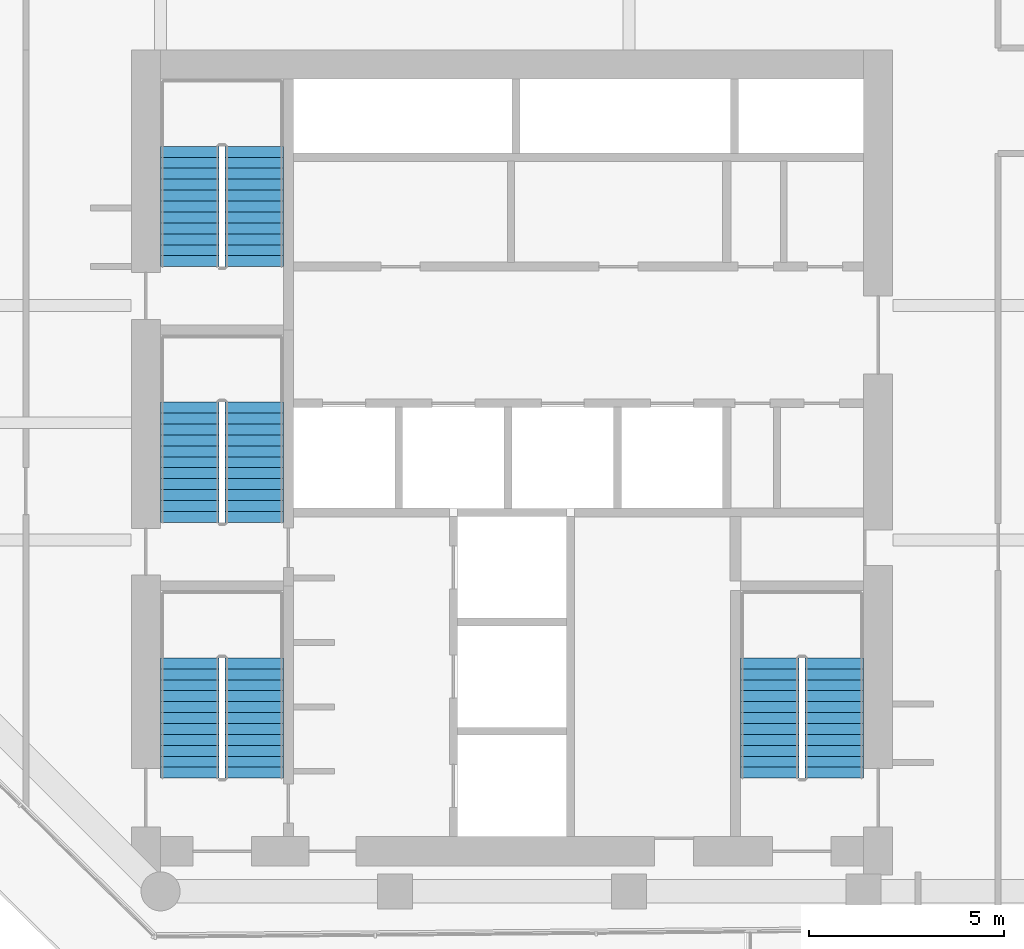
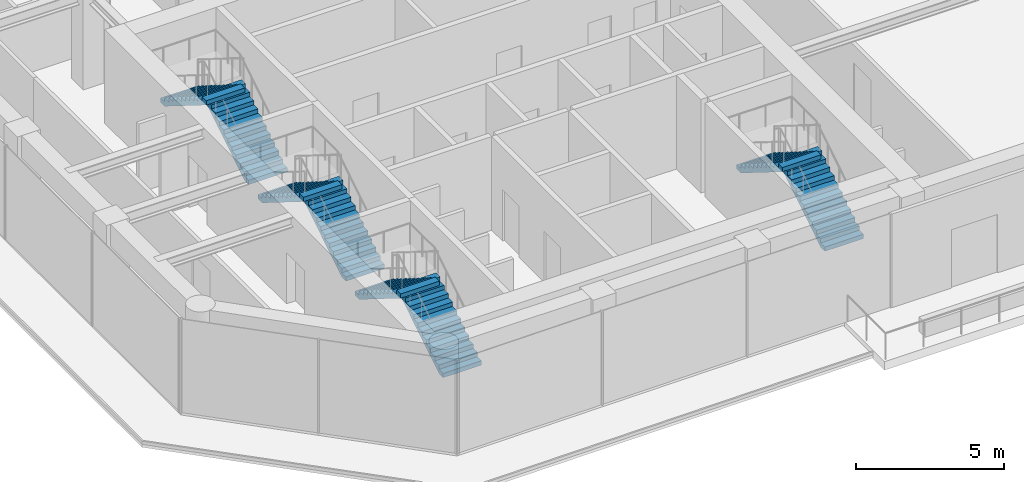
# One storey, part 19 of 21: 8 stair flights, 4 elements without a shape of their own.
"""IFC4 building model written with IfcOpenShell, lengths in metres."""

from ifc_helpers import new_model, si_unit, direction, frame, origin, place, context, subcontext, project, spatial, polyline, outline, extrude, material, type_object, element, aggregate, save


model = new_model("IFC4")

# Units and contexts
model_context = context("Model", 3, precision=1e-05, world=origin(), true_north=direction((0.0, 1.0)))
body_context = subcontext(model_context, "Body", "Model", "MODEL_VIEW")
ifc_project = project(units=[si_unit("LENGTHUNIT", "METRE"), si_unit("AREAUNIT", "SQUARE_METRE"), si_unit("VOLUMEUNIT", "CUBIC_METRE"), si_unit("PLANEANGLEUNIT", "RADIAN"), si_unit("MASSUNIT", "GRAM", prefix="KILO")], contexts=[model_context])

# Site, building, storey
site_placement = place(None, origin())
site = spatial("IfcSite", under=ifc_project, at=site_placement, CompositionType="ELEMENT")
building_placement = place(site_placement, origin())
building = spatial("IfcBuilding", under=site, at=building_placement, Name="Welwitschia Terrace Campus", CompositionType="ELEMENT")
storey_placement = place(building_placement, frame((0.0, 0.0, 108.800048828125)))
storey = spatial("IfcBuildingStorey", under=building, at=storey_placement, Name="L24", CompositionType="ELEMENT", Elevation=108.800048828125)

# Stair, stair flights
ifc_material_1 = material(Name="Concrete C40/50", Category="concrete")
stair_type = type_object("IfcStairType", Name="Stair 24R 175 W1500", PredefinedType="HALF_TURN_STAIR", material=ifc_material_1)
stair_1_placement = place(storey_placement, origin())
stair_1 = element("IfcStair", 1, at=stair_1_placement, inside=storey, type_object=stair_type, Name="L24 Exit stair S1", PredefinedType="HALF_TURN_STAIR")
ifc_material_2 = material(Name="Concrete C40/50", Category="concrete")
stair_flight_type = type_object("IfcStairFlightType", Name="Stair flight 24R 175 W1500", PredefinedType="STRAIGHT", material=ifc_material_2)
stair_flight_1_placement = place(storey_placement, frame((8.39990234375, 6.89990234375, 0.0), z_axis=(0.0, 0.0, 1.0), x_axis=(0.0, 1.0, 0.0)))
stair_flight_1 = element("IfcStairFlight", 2, at=stair_flight_1_placement, type_object=stair_flight_type, Name="S1 flight 1", NumberOfRisers=12, NumberOfTreads=11, PredefinedType="STRAIGHT", RiserHeight=0.175, TreadLength=0.28, context=body_context, shape_type="SweptSolid", body=[
    extrude(outline(polyline([(0.0, 0.0), (0.0, 0.175048828125), (0.280029296875, 0.175048828125), (0.280029296875, 0.35009765625), (0.56005859375, 0.35009765625), (0.56005859375, 0.52490234375), (0.840087890625, 0.52490234375), (0.840087890625, 0.699951171875), (1.1201171875, 0.699951171875), (1.1201171875, 0.875), (1.39990234375, 0.875), (1.39990234375, 1.050048828125), (1.679931640625, 1.050048828125), (1.679931640625, 1.22509765625), (1.9599609375, 1.22509765625), (1.9599609375, 1.39990234375), (2.239990234375, 1.39990234375), (2.239990234375, 1.574951171875), (2.52001953125, 1.574951171875), (2.52001953125, 1.75), (2.800048828125, 1.75), (2.800048828125, 1.925048828125), (3.080078125, 1.925048828125), (3.080078125, 2.10009765625), (3.080078125, 1.748291015625), (0.28271484375, 0.0), (0.0, 0.0)])), frame((0.0, 0.75, 0.0), z_axis=(0.0, -1.0, 0.0), x_axis=(1.0, 0.0, 0.0)), (0.0, 0.0, 1.0), 1.5),
])
stair_flight_2_placement = place(storey_placement, frame((6.75, 9.97998046875, 2.099853515625), z_axis=(0.0, 0.0, 1.0), x_axis=(0.0, -1.0, 0.0)))
stair_flight_2 = element("IfcStairFlight", 3, at=stair_flight_2_placement, type_object=stair_flight_type, Name="S1 flight 2", NumberOfRisers=12, NumberOfTreads=11, PredefinedType="STRAIGHT", RiserHeight=0.175, TreadLength=0.28, context=body_context, shape_type="SweptSolid", body=[
    extrude(outline(polyline([(0.0, 0.0), (0.0, 0.175048828125), (0.280029296875, 0.175048828125), (0.280029296875, 0.35009765625), (0.56005859375, 0.35009765625), (0.56005859375, 0.52490234375), (0.840087890625, 0.52490234375), (0.840087890625, 0.699951171875), (1.1201171875, 0.699951171875), (1.1201171875, 0.875), (1.39990234375, 0.875), (1.39990234375, 1.050048828125), (1.679931640625, 1.050048828125), (1.679931640625, 1.22509765625), (1.9599609375, 1.22509765625), (1.9599609375, 1.39990234375), (2.239990234375, 1.39990234375), (2.239990234375, 1.574951171875), (2.52001953125, 1.574951171875), (2.52001953125, 1.75), (2.800048828125, 1.75), (2.800048828125, 1.925048828125), (3.080078125, 1.925048828125), (3.080078125, 2.10009765625), (3.080078125, 1.748291015625), (0.28271484375, 0.0), (0.0, 0.0)])), frame((0.0, 0.75, 0.0), z_axis=(0.0, -1.0, 0.0), x_axis=(1.0, 0.0, 0.0)), (0.0, 0.0, 1.0), 1.5),
])
aggregate(stair_1, [stair_flight_1, stair_flight_2])

stair_2_placement = place(storey_placement, origin())
stair_2 = element("IfcStair", 4, at=stair_2_placement, inside=storey, type_object=stair_type, Name="L24 Exit stair S3", PredefinedType="HALF_TURN_STAIR")
stair_flight_3_placement = place(storey_placement, frame((8.39990234375, 13.449951171875, 0.0), z_axis=(0.0, 0.0, 1.0), x_axis=(0.0, 1.0, 0.0)))
stair_flight_3 = element("IfcStairFlight", 5, at=stair_flight_3_placement, type_object=stair_flight_type, Name="S3 flight 1", NumberOfRisers=12, NumberOfTreads=11, PredefinedType="STRAIGHT", RiserHeight=0.175, TreadLength=0.28, context=body_context, shape_type="SweptSolid", body=[
    extrude(outline(polyline([(0.0, 0.0), (0.0, 0.175048828125), (0.280029296875, 0.175048828125), (0.280029296875, 0.35009765625), (0.56005859375, 0.35009765625), (0.56005859375, 0.52490234375), (0.840087890625, 0.52490234375), (0.840087890625, 0.699951171875), (1.1201171875, 0.699951171875), (1.1201171875, 0.875), (1.39990234375, 0.875), (1.39990234375, 1.050048828125), (1.679931640625, 1.050048828125), (1.679931640625, 1.22509765625), (1.9599609375, 1.22509765625), (1.9599609375, 1.39990234375), (2.239990234375, 1.39990234375), (2.239990234375, 1.574951171875), (2.52001953125, 1.574951171875), (2.52001953125, 1.75), (2.800048828125, 1.75), (2.800048828125, 1.925048828125), (3.080078125, 1.925048828125), (3.080078125, 2.10009765625), (3.080078125, 1.748291015625), (0.28271484375, 0.0), (0.0, 0.0)])), frame((0.0, 0.75, 0.0), z_axis=(0.0, -1.0, 0.0), x_axis=(1.0, 0.0, 0.0)), (0.0, 0.0, 1.0), 1.5),
])
stair_flight_4_placement = place(storey_placement, frame((6.75, 16.530029296875, 2.099853515625), z_axis=(0.0, 0.0, 1.0), x_axis=(0.0, -1.0, 0.0)))
stair_flight_4 = element("IfcStairFlight", 6, at=stair_flight_4_placement, type_object=stair_flight_type, Name="S3 flight 2", NumberOfRisers=12, NumberOfTreads=11, PredefinedType="STRAIGHT", RiserHeight=0.175, TreadLength=0.28, context=body_context, shape_type="SweptSolid", body=[
    extrude(outline(polyline([(0.0, 0.0), (0.0, 0.175048828125), (0.280029296875, 0.175048828125), (0.280029296875, 0.35009765625), (0.56005859375, 0.35009765625), (0.56005859375, 0.52490234375), (0.840087890625, 0.52490234375), (0.840087890625, 0.699951171875), (1.1201171875, 0.699951171875), (1.1201171875, 0.875), (1.39990234375, 0.875), (1.39990234375, 1.050048828125), (1.679931640625, 1.050048828125), (1.679931640625, 1.22509765625), (1.9599609375, 1.22509765625), (1.9599609375, 1.39990234375), (2.239990234375, 1.39990234375), (2.239990234375, 1.574951171875), (2.52001953125, 1.574951171875), (2.52001953125, 1.75), (2.800048828125, 1.75), (2.800048828125, 1.925048828125), (3.080078125, 1.925048828125), (3.080078125, 2.10009765625), (3.080078125, 1.748291015625), (0.28271484375, 0.0), (0.0, 0.0)])), frame((0.0, 0.75, 0.0), z_axis=(0.0, -1.0, 0.0), x_axis=(1.0, 0.0, 0.0)), (0.0, 0.0, 1.0), 1.5),
])
aggregate(stair_2, [stair_flight_3, stair_flight_4])

stair_3_placement = place(storey_placement, origin())
stair_3 = element("IfcStair", 7, at=stair_3_placement, inside=storey, type_object=stair_type, Name="L24 Exit stair S4", PredefinedType="HALF_TURN_STAIR")
stair_flight_5_placement = place(storey_placement, frame((8.39990234375, 20.0, 0.0), z_axis=(0.0, 0.0, 1.0), x_axis=(0.0, 1.0, 0.0)))
stair_flight_5 = element("IfcStairFlight", 8, at=stair_flight_5_placement, type_object=stair_flight_type, Name="S4 flight 1", NumberOfRisers=12, NumberOfTreads=11, PredefinedType="STRAIGHT", RiserHeight=0.175, TreadLength=0.28, context=body_context, shape_type="SweptSolid", body=[
    extrude(outline(polyline([(0.0, 0.0), (0.0, 0.175048828125), (0.280029296875, 0.175048828125), (0.280029296875, 0.35009765625), (0.56005859375, 0.35009765625), (0.56005859375, 0.52490234375), (0.840087890625, 0.52490234375), (0.840087890625, 0.699951171875), (1.1201171875, 0.699951171875), (1.1201171875, 0.875), (1.39990234375, 0.875), (1.39990234375, 1.050048828125), (1.679931640625, 1.050048828125), (1.679931640625, 1.22509765625), (1.9599609375, 1.22509765625), (1.9599609375, 1.39990234375), (2.239990234375, 1.39990234375), (2.239990234375, 1.574951171875), (2.52001953125, 1.574951171875), (2.52001953125, 1.75), (2.800048828125, 1.75), (2.800048828125, 1.925048828125), (3.080078125, 1.925048828125), (3.080078125, 2.10009765625), (3.080078125, 1.748291015625), (0.28271484375, 0.0), (0.0, 0.0)])), frame((0.0, 0.75, 0.0), z_axis=(0.0, -1.0, 0.0), x_axis=(1.0, 0.0, 0.0)), (0.0, 0.0, 1.0), 1.5),
])
stair_flight_6_placement = place(storey_placement, frame((6.75, 23.080078125, 2.099853515625), z_axis=(0.0, 0.0, 1.0), x_axis=(0.0, -1.0, 0.0)))
stair_flight_6 = element("IfcStairFlight", 9, at=stair_flight_6_placement, type_object=stair_flight_type, Name="S4 flight 2", NumberOfRisers=12, NumberOfTreads=11, PredefinedType="STRAIGHT", RiserHeight=0.175, TreadLength=0.28, context=body_context, shape_type="SweptSolid", body=[
    extrude(outline(polyline([(0.0, 0.0), (0.0, 0.175048828125), (0.280029296875, 0.175048828125), (0.280029296875, 0.35009765625), (0.56005859375, 0.35009765625), (0.56005859375, 0.52490234375), (0.840087890625, 0.52490234375), (0.840087890625, 0.699951171875), (1.1201171875, 0.699951171875), (1.1201171875, 0.875), (1.39990234375, 0.875), (1.39990234375, 1.050048828125), (1.679931640625, 1.050048828125), (1.679931640625, 1.22509765625), (1.9599609375, 1.22509765625), (1.9599609375, 1.39990234375), (2.239990234375, 1.39990234375), (2.239990234375, 1.574951171875), (2.52001953125, 1.574951171875), (2.52001953125, 1.75), (2.800048828125, 1.75), (2.800048828125, 1.925048828125), (3.080078125, 1.925048828125), (3.080078125, 2.10009765625), (3.080078125, 1.748291015625), (0.28271484375, 0.0), (0.0, 0.0)])), frame((0.0, 0.75, 0.0), z_axis=(0.0, -1.0, 0.0), x_axis=(1.0, 0.0, 0.0)), (0.0, 0.0, 1.0), 1.5),
])
aggregate(stair_3, [stair_flight_5, stair_flight_6])

stair_4_placement = place(storey_placement, origin())
stair_4 = element("IfcStair", 10, at=stair_4_placement, inside=storey, type_object=stair_type, Name="L24 Exit stair S2", PredefinedType="HALF_TURN_STAIR")
stair_flight_7_placement = place(storey_placement, frame((23.25, 6.89990234375, 0.0), z_axis=(0.0, 0.0, 1.0), x_axis=(0.0, 1.0, 0.0)))
stair_flight_7 = element("IfcStairFlight", 11, at=stair_flight_7_placement, type_object=stair_flight_type, Name="S2 flight 1", NumberOfRisers=12, NumberOfTreads=11, PredefinedType="STRAIGHT", RiserHeight=0.175, TreadLength=0.28, context=body_context, shape_type="SweptSolid", body=[
    extrude(outline(polyline([(0.0, 0.0), (0.0, 0.175048828125), (0.280029296875, 0.175048828125), (0.280029296875, 0.35009765625), (0.56005859375, 0.35009765625), (0.56005859375, 0.52490234375), (0.840087890625, 0.52490234375), (0.840087890625, 0.699951171875), (1.1201171875, 0.699951171875), (1.1201171875, 0.875), (1.39990234375, 0.875), (1.39990234375, 1.050048828125), (1.679931640625, 1.050048828125), (1.679931640625, 1.22509765625), (1.9599609375, 1.22509765625), (1.9599609375, 1.39990234375), (2.239990234375, 1.39990234375), (2.239990234375, 1.574951171875), (2.52001953125, 1.574951171875), (2.52001953125, 1.75), (2.800048828125, 1.75), (2.800048828125, 1.925048828125), (3.080078125, 1.925048828125), (3.080078125, 2.10009765625), (3.080078125, 1.748291015625), (0.28271484375, 0.0), (0.0, 0.0)])), frame((0.0, 0.75, 0.0), z_axis=(0.0, -1.0, 0.0), x_axis=(1.0, 0.0, 0.0)), (0.0, 0.0, 1.0), 1.5),
])
stair_flight_8_placement = place(storey_placement, frame((21.60009765625, 9.97998046875, 2.099853515625), z_axis=(0.0, 0.0, 1.0), x_axis=(0.0, -1.0, 0.0)))
stair_flight_8 = element("IfcStairFlight", 12, at=stair_flight_8_placement, type_object=stair_flight_type, Name="S2 flight 2", NumberOfRisers=12, NumberOfTreads=11, PredefinedType="STRAIGHT", RiserHeight=0.175, TreadLength=0.28, context=body_context, shape_type="SweptSolid", body=[
    extrude(outline(polyline([(0.0, 0.0), (0.0, 0.175048828125), (0.280029296875, 0.175048828125), (0.280029296875, 0.35009765625), (0.56005859375, 0.35009765625), (0.56005859375, 0.52490234375), (0.840087890625, 0.52490234375), (0.840087890625, 0.699951171875), (1.1201171875, 0.699951171875), (1.1201171875, 0.875), (1.39990234375, 0.875), (1.39990234375, 1.050048828125), (1.679931640625, 1.050048828125), (1.679931640625, 1.22509765625), (1.9599609375, 1.22509765625), (1.9599609375, 1.39990234375), (2.239990234375, 1.39990234375), (2.239990234375, 1.574951171875), (2.52001953125, 1.574951171875), (2.52001953125, 1.75), (2.800048828125, 1.75), (2.800048828125, 1.925048828125), (3.080078125, 1.925048828125), (3.080078125, 2.10009765625), (3.080078125, 1.748291015625), (0.28271484375, 0.0), (0.0, 0.0)])), frame((0.0, 0.75, 0.0), z_axis=(0.0, -1.0, 0.0), x_axis=(1.0, 0.0, 0.0)), (0.0, 0.0, 1.0), 1.5),
])
aggregate(stair_4, [stair_flight_7, stair_flight_8])

save(model, "model.ifc")
